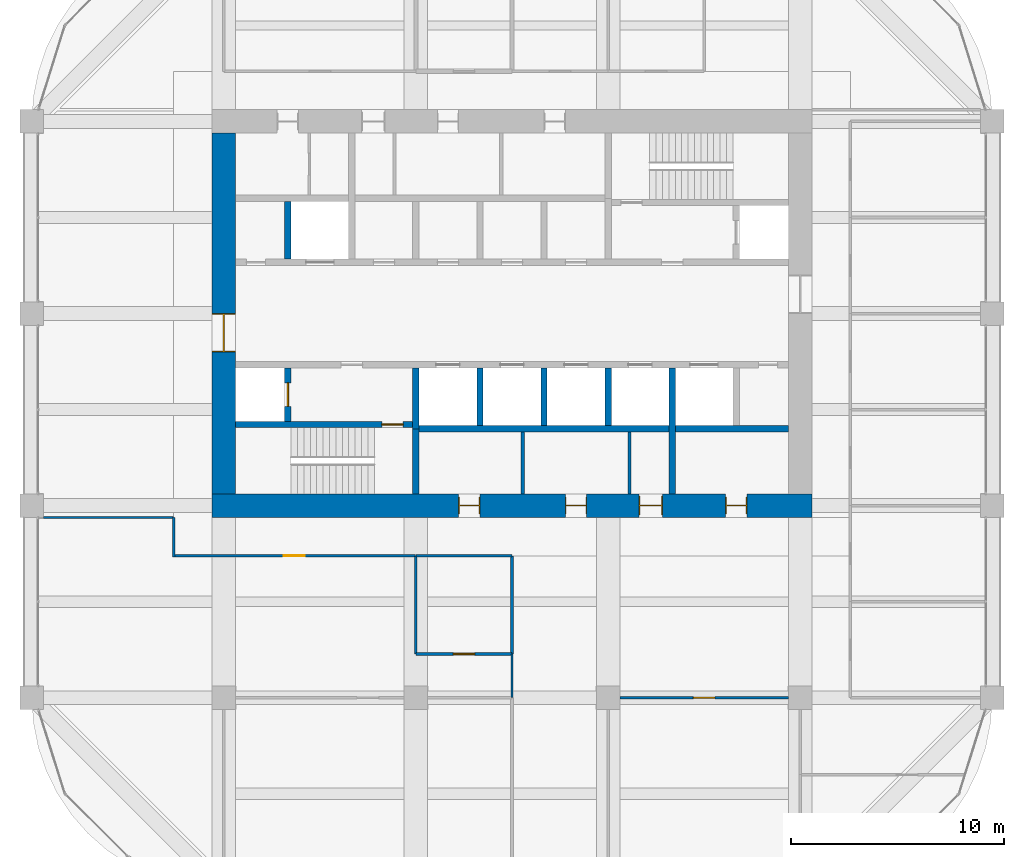
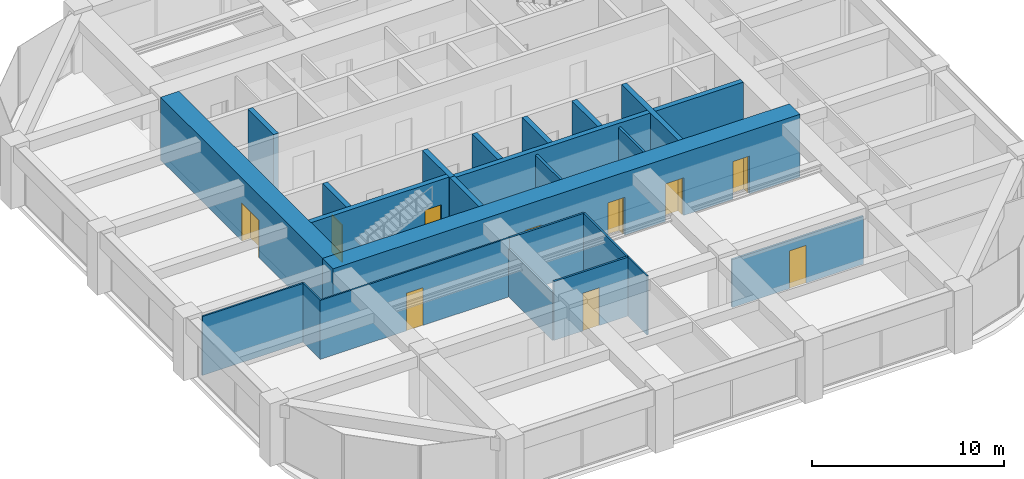
# One storey, part 41 of 45: 23 walls, 10 doors, 10 openings.
"""IFC4 building model written with IfcOpenShell, lengths in metres."""

from ifc_helpers import new_model, si_unit, direction, frame, frame_2d, origin, place, context, subcontext, project, spatial, rectangle, extrude, material, layer, layer_set, type_object, element, fill, save


model = new_model("IFC4")

# Units and contexts
model_context = context("Model", 3, precision=1e-05, world=origin(), true_north=direction((0.0, 1.0)))
body_context = subcontext(model_context, "Body", "Model", "MODEL_VIEW")
ifc_project = project(units=[si_unit("LENGTHUNIT", "METRE"), si_unit("AREAUNIT", "SQUARE_METRE"), si_unit("VOLUMEUNIT", "CUBIC_METRE"), si_unit("PLANEANGLEUNIT", "RADIAN"), si_unit("MASSUNIT", "GRAM", prefix="KILO")], contexts=[model_context])

# Site, building, storey
site_placement = place(None, origin())
site = spatial("IfcSite", under=ifc_project, at=site_placement, CompositionType="ELEMENT")
building_placement = place(site_placement, origin())
building = spatial("IfcBuilding", under=site, at=building_placement, Name="Zorevar Civic Tower", CompositionType="ELEMENT")
storey_placement = place(building_placement, frame((0.0, 0.0, 279.39990234375)))
storey = spatial("IfcBuildingStorey", under=building, at=storey_placement, Name="L68", CompositionType="ELEMENT", Elevation=279.39990234375)

# Wall, openings, doors
ifc_material_1 = material(Name="Concrete C50/60", Category="concrete")
ifc_layer_1 = layer(ifc_material_1, 1.10009765625)
ifc_layer_set_1 = layer_set([ifc_layer_1], Name="Core wall 1100")
wall_type_1 = type_object("IfcWallType", Name="Core wall 1100", PredefinedType="SHEAR", material=ifc_layer_set_1)
wall_1_placement = place(storey_placement, frame((17.449951171875, 18.0, 0.0), z_axis=(0.0, 0.0, 1.0), x_axis=(1.0, 0.0, 0.0)))
wall_1 = element("IfcWall", 1, at=wall_1_placement, inside=storey, type_object=wall_type_1, Name="Core wall S L68", PredefinedType="SHEAR", context=body_context, shape_type="SweptSolid", body=[
    extrude(rectangle(XDim=28.10009765625, YDim=1.10009765625, at=frame_2d((14.050048828125, 0.0))), origin(), (0.0, 0.0, 1.0), 4.0),
])
opening_1_placement = place(wall_1_placement, frame((11.550048828125, 0.0, 0.0)))
opening_1 = element("IfcOpeningElement", 2, at=opening_1_placement, cuts=wall_1, Name="Opening L68.03", PredefinedType="OPENING", context=body_context, shape_type="SweptSolid", body=[
    extrude(rectangle(XDim=1.0, YDim=2.39990234375, at=frame_2d((0.5, 1.199951171875))), frame((0.0, 0.56005859375, 0.0), z_axis=(0.0, -1.0, 0.0), x_axis=(1.0, 0.0, 0.0)), (0.0, 0.0, 1.0), 1.1201171875),
])
opening_2_placement = place(wall_1_placement, frame((16.550048828125, 0.0, 0.0)))
opening_2 = element("IfcOpeningElement", 3, at=opening_2_placement, cuts=wall_1, Name="Opening L68.04", PredefinedType="OPENING", context=body_context, shape_type="SweptSolid", body=[
    extrude(rectangle(XDim=1.0, YDim=2.39990234375, at=frame_2d((0.5, 1.199951171875))), frame((0.0, 0.56005859375, 0.0), z_axis=(0.0, -1.0, 0.0), x_axis=(1.0, 0.0, 0.0)), (0.0, 0.0, 1.0), 1.1201171875),
])
opening_3_placement = place(wall_1_placement, frame((20.0, 0.0, 0.0)))
opening_3 = element("IfcOpeningElement", 4, at=opening_3_placement, cuts=wall_1, Name="Opening L68.05", PredefinedType="OPENING", context=body_context, shape_type="SweptSolid", body=[
    extrude(rectangle(XDim=1.10009765625, YDim=2.39990234375, at=frame_2d((0.550048828125, 1.199951171875))), frame((0.0, 0.56005859375, 0.0), z_axis=(0.0, -1.0, 0.0), x_axis=(1.0, 0.0, 0.0)), (0.0, 0.0, 1.0), 1.1201171875),
])
opening_4_placement = place(wall_1_placement, frame((24.050048828125, 0.0, 0.0)))
opening_4 = element("IfcOpeningElement", 5, at=opening_4_placement, cuts=wall_1, Name="Opening L68.06", PredefinedType="OPENING", context=body_context, shape_type="SweptSolid", body=[
    extrude(rectangle(XDim=1.0, YDim=2.39990234375, at=frame_2d((0.5, 1.199951171875))), frame((0.0, 0.56005859375, 0.0), z_axis=(0.0, -1.0, 0.0), x_axis=(1.0, 0.0, 0.0)), (0.0, 0.0, 1.0), 1.1201171875),
])
ifc_material_2 = material(Name="Timber door set", Category="wood")
door_type_1 = type_object("IfcDoorType", Name="Door D1 1000x2400", OperationType="SINGLE_SWING_LEFT", PredefinedType="DOOR", material=ifc_material_2)
door_1_placement = place(opening_1_placement, origin())
door_1 = element("IfcDoor", 6, at=door_1_placement, inside=storey, type_object=door_type_1, Name="Door L68 02", OperationType="SINGLE_SWING_LEFT", OverallHeight=2.39990234375, OverallWidth=1.0, PredefinedType="DOOR", context=body_context, shape_type="SweptSolid", body=[
    extrude(rectangle(XDim=1.0, YDim=2.39990234375, at=frame_2d((0.5, 1.199951171875))), frame((0.0, 0.02490234375, 0.0), z_axis=(0.0, -1.0, 0.0), x_axis=(1.0, 0.0, 0.0)), (0.0, 0.0, 1.0), 0.050048828125),
    extrude(rectangle(XDim=0.04, YDim=2.39990234375, at=frame_2d((0.02001953125, 1.199951171875))), frame((0.0, 0.39990234375, 0.0), z_axis=(0.0, -1.0, 0.0), x_axis=(1.0, 0.0, 0.0)), (0.0, 0.0, 1.0), 0.800048828125),
    extrude(rectangle(XDim=0.04, YDim=2.39990234375, at=frame_2d((0.97998046875, 1.199951171875))), frame((0.0, 0.39990234375, 0.0), z_axis=(0.0, -1.0, 0.0), x_axis=(1.0, 0.0, 0.0)), (0.0, 0.0, 1.0), 0.800048828125),
    extrude(rectangle(XDim=1.0, YDim=0.04, at=frame_2d((0.5, 2.3798828125))), frame((0.0, 0.39990234375, 0.0), z_axis=(0.0, -1.0, 0.0), x_axis=(1.0, 0.0, 0.0)), (0.0, 0.0, 1.0), 0.800048828125),
])
fill(opening_1, door_1)
door_2_placement = place(opening_2_placement, origin())
door_2 = element("IfcDoor", 7, at=door_2_placement, inside=storey, type_object=door_type_1, Name="Door L68 03", OperationType="SINGLE_SWING_RIGHT", OverallHeight=2.39990234375, OverallWidth=1.0, PredefinedType="DOOR", context=body_context, shape_type="SweptSolid", body=[
    extrude(rectangle(XDim=1.0, YDim=2.39990234375, at=frame_2d((0.5, 1.199951171875))), frame((0.0, 0.02490234375, 0.0), z_axis=(0.0, -1.0, 0.0), x_axis=(1.0, 0.0, 0.0)), (0.0, 0.0, 1.0), 0.050048828125),
    extrude(rectangle(XDim=0.04, YDim=2.39990234375, at=frame_2d((0.02001953125, 1.199951171875))), frame((0.0, 0.39990234375, 0.0), z_axis=(0.0, -1.0, 0.0), x_axis=(1.0, 0.0, 0.0)), (0.0, 0.0, 1.0), 0.800048828125),
    extrude(rectangle(XDim=0.04, YDim=2.39990234375, at=frame_2d((0.97998046875, 1.199951171875))), frame((0.0, 0.39990234375, 0.0), z_axis=(0.0, -1.0, 0.0), x_axis=(1.0, 0.0, 0.0)), (0.0, 0.0, 1.0), 0.800048828125),
    extrude(rectangle(XDim=1.0, YDim=0.04, at=frame_2d((0.5, 2.3798828125))), frame((0.0, 0.39990234375, 0.0), z_axis=(0.0, -1.0, 0.0), x_axis=(1.0, 0.0, 0.0)), (0.0, 0.0, 1.0), 0.800048828125),
])
fill(opening_2, door_2)
door_3_placement = place(opening_4_placement, origin())
door_3 = element("IfcDoor", 8, at=door_3_placement, inside=storey, type_object=door_type_1, Name="Door L68 05", OperationType="SINGLE_SWING_RIGHT", OverallHeight=2.39990234375, OverallWidth=1.0, PredefinedType="DOOR", context=body_context, shape_type="SweptSolid", body=[
    extrude(rectangle(XDim=1.0, YDim=2.39990234375, at=frame_2d((0.5, 1.199951171875))), frame((0.0, 0.02490234375, 0.0), z_axis=(0.0, -1.0, 0.0), x_axis=(1.0, 0.0, 0.0)), (0.0, 0.0, 1.0), 0.050048828125),
    extrude(rectangle(XDim=0.04, YDim=2.39990234375, at=frame_2d((0.02001953125, 1.199951171875))), frame((0.0, 0.39990234375, 0.0), z_axis=(0.0, -1.0, 0.0), x_axis=(1.0, 0.0, 0.0)), (0.0, 0.0, 1.0), 0.800048828125),
    extrude(rectangle(XDim=0.04, YDim=2.39990234375, at=frame_2d((0.97998046875, 1.199951171875))), frame((0.0, 0.39990234375, 0.0), z_axis=(0.0, -1.0, 0.0), x_axis=(1.0, 0.0, 0.0)), (0.0, 0.0, 1.0), 0.800048828125),
    extrude(rectangle(XDim=1.0, YDim=0.04, at=frame_2d((0.5, 2.3798828125))), frame((0.0, 0.39990234375, 0.0), z_axis=(0.0, -1.0, 0.0), x_axis=(1.0, 0.0, 0.0)), (0.0, 0.0, 1.0), 0.800048828125),
])
fill(opening_4, door_3)
ifc_material_3 = material(Name="Timber door set", Category="wood")
door_type_2 = type_object("IfcDoorType", Name="Door D5 1100x2400", OperationType="SINGLE_SWING_LEFT", PredefinedType="DOOR", material=ifc_material_3)
door_4_placement = place(opening_3_placement, origin())
door_4 = element("IfcDoor", 9, at=door_4_placement, inside=storey, type_object=door_type_2, Name="Door L68 04", OperationType="SINGLE_SWING_RIGHT", OverallHeight=2.39990234375, OverallWidth=1.10009765625, PredefinedType="DOOR", context=body_context, shape_type="SweptSolid", body=[
    extrude(rectangle(XDim=1.10009765625, YDim=2.39990234375, at=frame_2d((0.550048828125, 1.199951171875))), frame((0.0, 0.02490234375, 0.0), z_axis=(0.0, -1.0, 0.0), x_axis=(1.0, 0.0, 0.0)), (0.0, 0.0, 1.0), 0.050048828125),
    extrude(rectangle(XDim=0.04, YDim=2.39990234375, at=frame_2d((0.02001953125, 1.199951171875))), frame((0.0, 0.43994140625, 0.0), z_axis=(0.0, -1.0, 0.0), x_axis=(1.0, 0.0, 0.0)), (0.0, 0.0, 1.0), 0.880126953125),
    extrude(rectangle(XDim=0.04, YDim=2.39990234375, at=frame_2d((1.080078125, 1.199951171875))), frame((0.0, 0.43994140625, 0.0), z_axis=(0.0, -1.0, 0.0), x_axis=(1.0, 0.0, 0.0)), (0.0, 0.0, 1.0), 0.880126953125),
    extrude(rectangle(XDim=1.10009765625, YDim=0.04, at=frame_2d((0.550048828125, 2.3798828125))), frame((0.0, 0.43994140625, 0.0), z_axis=(0.0, -1.0, 0.0), x_axis=(1.0, 0.0, 0.0)), (0.0, 0.0, 1.0), 0.880126953125),
])
fill(opening_3, door_4)

# Wall, opening, door
wall_2_placement = place(storey_placement, frame((18.0, 35.449951171875, 0.0), z_axis=(0.0, 0.0, 1.0), x_axis=(0.0, -1.0, 0.0)))
wall_2 = element("IfcWall", 10, at=wall_2_placement, inside=storey, type_object=wall_type_1, Name="Core wall W L68", PredefinedType="SHEAR", context=body_context, shape_type="SweptSolid", body=[
    extrude(rectangle(XDim=16.89990234375, YDim=1.10009765625, at=frame_2d((8.449951171875, 0.0))), origin(), (0.0, 0.0, 1.0), 4.0),
])
opening_5_placement = place(wall_2_placement, frame((8.449951171875, 0.0, 0.0)))
opening_5 = element("IfcOpeningElement", 11, at=opening_5_placement, cuts=wall_2, Name="Opening L68.01", PredefinedType="OPENING", context=body_context, shape_type="SweptSolid", body=[
    extrude(rectangle(XDim=1.800048828125, YDim=2.39990234375, at=frame_2d((0.89990234375, 1.199951171875))), frame((0.0, 0.56005859375, 0.0), z_axis=(0.0, -1.0, 0.0), x_axis=(1.0, 0.0, 0.0)), (0.0, 0.0, 1.0), 1.1201171875),
])
ifc_material_4 = material(Name="Steel door set", Category="steel")
door_type_3 = type_object("IfcDoorType", Name="Fire door FD2 1800x2400", OperationType="DOUBLE_DOOR_DOUBLE_SWING", PredefinedType="DOOR", material=ifc_material_4)
door_5_placement = place(opening_5_placement, origin())
door_5 = element("IfcDoor", 12, at=door_5_placement, inside=storey, type_object=door_type_3, Name="Door L68 00", OperationType="DOUBLE_DOOR_DOUBLE_SWING", OverallHeight=2.39990234375, OverallWidth=1.800048828125, PredefinedType="DOOR", context=body_context, shape_type="SweptSolid", body=[
    extrude(rectangle(XDim=1.800048828125, YDim=2.39990234375, at=frame_2d((0.89990234375, 1.199951171875))), frame((0.0, 0.030029296875, 0.0), z_axis=(0.0, -1.0, 0.0), x_axis=(1.0, 0.0, 0.0)), (0.0, 0.0, 1.0), 0.06005859375),
    extrude(rectangle(XDim=0.04, YDim=2.39990234375, at=frame_2d((0.02001953125, 1.199951171875))), frame((0.0, 0.5498046875, 0.0), z_axis=(0.0, -1.0, 0.0), x_axis=(1.0, 0.0, 0.0)), (0.0, 0.0, 1.0), 1.099609375),
    extrude(rectangle(XDim=0.04, YDim=2.39990234375, at=frame_2d((1.780029296875, 1.199951171875))), frame((0.0, 0.5498046875, 0.0), z_axis=(0.0, -1.0, 0.0), x_axis=(1.0, 0.0, 0.0)), (0.0, 0.0, 1.0), 1.099609375),
    extrude(rectangle(XDim=1.800048828125, YDim=0.04, at=frame_2d((0.89990234375, 2.3798828125))), frame((0.0, 0.5498046875, 0.0), z_axis=(0.0, -1.0, 0.0), x_axis=(1.0, 0.0, 0.0)), (0.0, 0.0, 1.0), 1.099609375),
])
fill(opening_5, door_5)

ifc_material_5 = material(Name="Laminated glass in black aluminium frame", Category="aluminium")
ifc_layer_2 = layer(ifc_material_5, 0.10009765625)
ifc_layer_set_2 = layer_set([ifc_layer_2], Name="Glazed partition 100")
wall_type_2 = type_object("IfcWallType", Name="Glazed partition 100", PredefinedType="PARTITIONING", material=ifc_layer_set_2)
wall_3_placement = place(storey_placement, frame((15.60009765625, 15.64990234375, 0.0), z_axis=(0.0, 0.0, 1.0), x_axis=(1.0, 0.0, 0.0)))
wall_3 = element("IfcWall", 13, at=wall_3_placement, inside=storey, type_object=wall_type_2, Name="Glazed partition 100 L68", PredefinedType="PARTITIONING", context=body_context, shape_type="SweptSolid", body=[
    extrude(rectangle(XDim=11.389892578125, YDim=0.10009765625, at=frame_2d((5.69482421875, 0.0))), origin(), (0.0, 0.0, 1.0), 3.75),
])
opening_6_placement = place(wall_3_placement, frame((5.195068359375, 0.0, 0.0)))
opening_6 = element("IfcOpeningElement", 14, at=opening_6_placement, cuts=wall_3, Name="Opening L68.21", PredefinedType="OPENING", context=body_context, shape_type="SweptSolid", body=[
    extrude(rectangle(XDim=1.0, YDim=2.39990234375, at=frame_2d((0.5, 1.199951171875))), frame((0.0, 0.06005859375, 0.0), z_axis=(0.0, -1.0, 0.0), x_axis=(1.0, 0.0, 0.0)), (0.0, 0.0, 1.0), 0.1201171875),
])
ifc_material_6 = material(Name="Timber door set", Category="wood")
door_type_4 = type_object("IfcDoorType", Name="Glazed door GD1 1000x2400", OperationType="SINGLE_SWING_LEFT", PredefinedType="DOOR", material=ifc_material_6)
door_6_placement = place(opening_6_placement, origin())
door_6 = element("IfcDoor", 15, at=door_6_placement, inside=storey, type_object=door_type_4, Name="Door L68 D1", OperationType="SINGLE_SWING_RIGHT", OverallHeight=2.39990234375, OverallWidth=1.0, PredefinedType="DOOR", context=body_context, shape_type="SweptSolid", body=[
    extrude(rectangle(XDim=1.0, YDim=2.39990234375, at=frame_2d((0.5, 1.199951171875))), frame((0.0, 0.02001953125, 0.0), z_axis=(0.0, -1.0, 0.0), x_axis=(1.0, 0.0, 0.0)), (0.0, 0.0, 1.0), 0.0400390625),
])
fill(opening_6, door_6)

# Walls
wall_4_placement = place(storey_placement, frame((9.550048828125, 17.449951171875, 0.0), z_axis=(0.0, 0.0, 1.0), x_axis=(1.0, 0.0, 0.0)))
element("IfcWall", 16, at=wall_4_placement, inside=storey, type_object=wall_type_2, Name="Glazed partition 100 L68", PredefinedType="PARTITIONING", context=body_context, shape_type="SweptSolid", body=[
    extrude(rectangle(XDim=6.099853515625, YDim=0.10009765625, at=frame_2d((3.0498046875, 0.0))), origin(), (0.0, 0.0, 1.0), 3.75),
])
wall_5_placement = place(storey_placement, frame((15.64990234375, 15.60009765625, 0.0), z_axis=(0.0, 0.0, 1.0), x_axis=(0.0, 1.0, 0.0)))
element("IfcWall", 17, at=wall_5_placement, inside=storey, type_object=wall_type_2, Name="Glazed partition 100 L68", PredefinedType="PARTITIONING", context=body_context, shape_type="SweptSolid", body=[
    extrude(rectangle(XDim=1.849853515625, YDim=0.10009765625, at=frame_2d((0.9248046875, 0.0))), origin(), (0.0, 0.0, 1.0), 3.75),
])
wall_6_placement = place(storey_placement, frame((31.5, 9.0, 0.0), z_axis=(0.0, 0.0, 1.0), x_axis=(0.0, 1.0, 0.0)))
element("IfcWall", 18, at=wall_6_placement, inside=storey, type_object=wall_type_2, Name="Glazed partition 100 L68", PredefinedType="PARTITIONING", context=body_context, shape_type="SweptSolid", body=[
    extrude(rectangle(XDim=2.050048828125, YDim=0.10009765625, at=frame_2d((1.02490234375, 0.0))), origin(), (0.0, 0.0, 1.0), 3.75),
])

# Wall, opening, door
ifc_material_7 = material(Name="Concrete C40/50", Category="concrete")
ifc_layer_3 = layer(ifc_material_7, 0.300048828125)
ifc_layer_set_3 = layer_set([ifc_layer_3], Name="Inner core wall 300")
wall_type_3 = type_object("IfcWallType", Name="Inner core wall 300", PredefinedType="SHEAR", material=ifc_layer_set_3)
wall_7_placement = place(storey_placement, frame((18.550048828125, 21.800048828125, 0.0), z_axis=(0.0, 0.0, 1.0), x_axis=(1.0, 0.0, 0.0)))
wall_7 = element("IfcWall", 19, at=wall_7_placement, inside=storey, type_object=wall_type_3, Name="Inner core wall S00 L68", PredefinedType="SHEAR", context=body_context, shape_type="SweptSolid", body=[
    extrude(rectangle(XDim=8.300048828125, YDim=0.300048828125, at=frame_2d((4.14990234375, 0.0))), origin(), (0.0, 0.0, 1.0), 4.0),
])
opening_7_placement = place(wall_7_placement, frame((6.85009765625, 0.0, 0.0)))
opening_7 = element("IfcOpeningElement", 20, at=opening_7_placement, cuts=wall_7, Name="Opening L68.11", PredefinedType="OPENING", context=body_context, shape_type="SweptSolid", body=[
    extrude(rectangle(XDim=1.0, YDim=2.39990234375, at=frame_2d((0.5, 1.199951171875))), frame((0.0, 0.159912109375, 0.0), z_axis=(0.0, -1.0, 0.0), x_axis=(1.0, 0.0, 0.0)), (0.0, 0.0, 1.0), 0.320068359375),
])
ifc_material_8 = material(Name="Steel door set", Category="steel")
door_type_5 = type_object("IfcDoorType", Name="Fire door FD1 1000x2400", OperationType="SINGLE_SWING_LEFT", PredefinedType="DOOR", material=ifc_material_8)
door_7_placement = place(opening_7_placement, origin())
door_7 = element("IfcDoor", 21, at=door_7_placement, inside=storey, type_object=door_type_5, Name="Door L68 10", OperationType="SINGLE_SWING_RIGHT", OverallHeight=2.39990234375, OverallWidth=1.0, PredefinedType="DOOR", context=body_context, shape_type="SweptSolid", body=[
    extrude(rectangle(XDim=1.0, YDim=2.39990234375, at=frame_2d((0.5, 1.199951171875))), frame((0.0, 0.030029296875, 0.0), z_axis=(0.0, -1.0, 0.0), x_axis=(1.0, 0.0, 0.0)), (0.0, 0.0, 1.0), 0.06005859375),
])
fill(opening_7, door_7)

# Wall
wall_8_placement = place(storey_placement, frame((27.0, 18.550048828125, 0.0), z_axis=(0.0, 0.0, 1.0), x_axis=(0.0, 1.0, 0.0)))
element("IfcWall", 22, at=wall_8_placement, inside=storey, type_object=wall_type_3, Name="Inner core wall S01 L68", PredefinedType="SHEAR", context=body_context, shape_type="SweptSolid", body=[
    extrude(rectangle(XDim=3.050048828125, YDim=0.300048828125, at=frame_2d((1.52490234375, 0.0))), origin(), (0.0, 0.0, 1.0), 4.0),
])

# Wall, opening, door
wall_9_placement = place(storey_placement, frame((21.0, 21.949951171875, 0.0), z_axis=(0.0, 0.0, 1.0), x_axis=(0.0, 1.0, 0.0)))
wall_9 = element("IfcWall", 23, at=wall_9_placement, inside=storey, type_object=wall_type_3, Name="Inner core wall S02 L68", PredefinedType="SHEAR", context=body_context, shape_type="SweptSolid", body=[
    extrude(rectangle(XDim=2.5, YDim=0.300048828125, at=frame_2d((1.25, 0.0))), origin(), (0.0, 0.0, 1.0), 4.0),
])
opening_8_placement = place(wall_9_placement, frame((0.699951171875, 0.0, 0.0)))
opening_8 = element("IfcOpeningElement", 24, at=opening_8_placement, cuts=wall_9, Name="Opening L68.FL1", PredefinedType="OPENING", context=body_context, shape_type="SweptSolid", body=[
    extrude(rectangle(XDim=1.10009765625, YDim=2.39990234375, at=frame_2d((0.550048828125, 1.199951171875))), frame((0.0, 0.159912109375, 0.0), z_axis=(0.0, -1.0, 0.0), x_axis=(1.0, 0.0, 0.0)), (0.0, 0.0, 1.0), 0.320068359375),
])
ifc_material_9 = material(Name="Steel door set", Category="steel")
door_type_6 = type_object("IfcDoorType", Name="Firefighting lift landing door LD3 1100x2400", OperationType="DOUBLE_DOOR_SLIDING", PredefinedType="DOOR", material=ifc_material_9)
door_8_placement = place(opening_8_placement, origin())
door_8 = element("IfcDoor", 25, at=door_8_placement, inside=storey, type_object=door_type_6, Name="Landing door FL1 L68", OperationType="DOUBLE_DOOR_SLIDING", OverallHeight=2.39990234375, OverallWidth=1.10009765625, PredefinedType="DOOR", context=body_context, shape_type="SweptSolid", body=[
    extrude(rectangle(XDim=1.10009765625, YDim=2.39990234375, at=frame_2d((0.550048828125, 1.199951171875))), frame((0.0, 0.030029296875, 0.0), z_axis=(0.0, -1.0, 0.0), x_axis=(1.0, 0.0, 0.0)), (0.0, 0.0, 1.0), 0.06005859375),
])
fill(opening_8, door_8)

# Walls
wall_10_placement = place(storey_placement, frame((27.14990234375, 21.60009765625, 0.0), z_axis=(0.0, 0.0, 1.0), x_axis=(1.0, 0.0, 0.0)))
element("IfcWall", 26, at=wall_10_placement, inside=storey, type_object=wall_type_3, Name="Inner core wall S04 L68", PredefinedType="SHEAR", context=body_context, shape_type="SweptSolid", body=[
    extrude(rectangle(XDim=17.300048828125, YDim=0.300048828125, at=frame_2d((8.64990234375, 0.0))), origin(), (0.0, 0.0, 1.0), 4.0),
])
for number, where, z_axis, x_axis, name in (
    (27, (30.0, 21.75, 0.0), (0.0, 0.0, 1.0), (0.0, 1.0, 0.0), "Inner core wall S05 L68"),
    (28, (33.0, 21.75, 0.0), (0.0, 0.0, 1.0), (0.0, 1.0, 0.0), "Inner core wall S06 L68"),
    (29, (36.0, 21.75, 0.0), (0.0, 0.0, 1.0), (0.0, 1.0, 0.0), "Inner core wall S07 L68"),
):
    element("IfcWall", number, at=place(storey_placement, frame(where, z_axis=z_axis, x_axis=x_axis)), inside=storey, type_object=wall_type_3, Name=name, PredefinedType="SHEAR", context=body_context, shape_type="SweptSolid", body=[
        extrude(rectangle(XDim=2.699951171875, YDim=0.300048828125, at=frame_2d((1.35009765625, 0.0))), origin(), (0.0, 0.0, 1.0), 4.0),
    ])
wall_11_placement = place(storey_placement, frame((39.0, 18.550048828125, 0.0), z_axis=(0.0, 0.0, 1.0), x_axis=(0.0, 1.0, 0.0)))
element("IfcWall", 30, at=wall_11_placement, inside=storey, type_object=wall_type_3, Name="Inner core wall S08 L68", PredefinedType="SHEAR", context=body_context, shape_type="SweptSolid", body=[
    extrude(rectangle(XDim=5.89990234375, YDim=0.300048828125, at=frame_2d((2.949951171875, 0.0))), origin(), (0.0, 0.0, 1.0), 4.0),
])
wall_12_placement = place(storey_placement, frame((21.0, 29.550048828125, 0.0), z_axis=(0.0, 0.0, 1.0), x_axis=(0.0, 1.0, 0.0)))
element("IfcWall", 31, at=wall_12_placement, inside=storey, type_object=wall_type_3, Name="Inner core wall N09 L68", PredefinedType="SHEAR", context=body_context, shape_type="SweptSolid", body=[
    extrude(rectangle(XDim=2.699951171875, YDim=0.300048828125, at=frame_2d((1.35009765625, 0.0))), origin(), (0.0, 0.0, 1.0), 4.0),
])
wall_13_placement = place(storey_placement, frame((27.0, 21.60009765625, 0.0), z_axis=(0.0, 0.0, 1.0), x_axis=(0.0, 1.0, 0.0)))
element("IfcWall", 32, at=wall_13_placement, inside=storey, type_object=wall_type_3, Name="Inner core wall S10 L68", PredefinedType="SHEAR", context=body_context, shape_type="SweptSolid", body=[
    extrude(rectangle(XDim=2.849853515625, YDim=0.300048828125, at=frame_2d((1.4248046875, 0.0))), origin(), (0.0, 0.0, 1.0), 4.0),
])

# Wall, opening, door
ifc_material_10 = material(Name="Gypsum board on steel studs", Category="steel")
ifc_layer_4 = layer(ifc_material_10, 0.1201171875)
ifc_layer_set_4 = layer_set([ifc_layer_4], Name="Partition 120")
wall_type_4 = type_object("IfcWallType", Name="Partition 120", PredefinedType="PARTITIONING", material=ifc_layer_set_4)
wall_14_placement = place(storey_placement, frame((36.550048828125, 9.0, 0.0), z_axis=(0.0, 0.0, 1.0), x_axis=(1.0, 0.0, 0.0)))
wall_14 = element("IfcWall", 33, at=wall_14_placement, inside=storey, type_object=wall_type_4, Name="Partition 120 L68", PredefinedType="PARTITIONING", context=body_context, shape_type="SweptSolid", body=[
    extrude(rectangle(XDim=7.89990234375, YDim=0.1201171875, at=frame_2d((3.949951171875, 0.0))), origin(), (0.0, 0.0, 1.0), 3.050048828125),
])
opening_9_placement = place(wall_14_placement, frame((3.449951171875, 0.0, 0.0)))
opening_9 = element("IfcOpeningElement", 34, at=opening_9_placement, cuts=wall_14, Name="Opening L68.19", PredefinedType="OPENING", context=body_context, shape_type="SweptSolid", body=[
    extrude(rectangle(XDim=1.0, YDim=2.39990234375, at=frame_2d((0.5, 1.199951171875))), frame((0.0, 0.070068359375, 0.0), z_axis=(0.0, -1.0, 0.0), x_axis=(1.0, 0.0, 0.0)), (0.0, 0.0, 1.0), 0.14013671875),
])
door_9_placement = place(opening_9_placement, origin())
door_9 = element("IfcDoor", 35, at=door_9_placement, inside=storey, type_object=door_type_1, Name="Door L68 D1", OperationType="SINGLE_SWING_LEFT", OverallHeight=2.39990234375, OverallWidth=1.0, PredefinedType="DOOR", context=body_context, shape_type="SweptSolid", body=[
    extrude(rectangle(XDim=1.0, YDim=2.39990234375, at=frame_2d((0.5, 1.199951171875))), frame((0.0, 0.02490234375, 0.0), z_axis=(0.0, -1.0, 0.0), x_axis=(1.0, 0.0, 0.0)), (0.0, 0.0, 1.0), 0.050048828125),
])
fill(opening_9, door_9)

wall_15_placement = place(storey_placement, frame((27.0, 11.050048828125, 0.0), z_axis=(0.0, 0.0, 1.0), x_axis=(1.0, 0.0, 0.0)))
wall_15 = element("IfcWall", 36, at=wall_15_placement, inside=storey, type_object=wall_type_4, Name="Partition 120 L68", PredefinedType="PARTITIONING", context=body_context, shape_type="SweptSolid", body=[
    extrude(rectangle(XDim=4.5, YDim=0.1201171875, at=frame_2d((2.25, 0.0))), origin(), (0.0, 0.0, 1.0), 3.75),
])
opening_10_placement = place(wall_15_placement, frame((1.75, 0.0, 0.0)))
opening_10 = element("IfcOpeningElement", 37, at=opening_10_placement, cuts=wall_15, Name="Opening L68.20", PredefinedType="OPENING", context=body_context, shape_type="SweptSolid", body=[
    extrude(rectangle(XDim=1.0, YDim=2.39990234375, at=frame_2d((0.5, 1.199951171875))), frame((0.0, 0.070068359375, 0.0), z_axis=(0.0, -1.0, 0.0), x_axis=(1.0, 0.0, 0.0)), (0.0, 0.0, 1.0), 0.14013671875),
])
door_10_placement = place(opening_10_placement, origin())
door_10 = element("IfcDoor", 38, at=door_10_placement, inside=storey, type_object=door_type_1, Name="Door L68 D1", OperationType="SINGLE_SWING_RIGHT", OverallHeight=2.39990234375, OverallWidth=1.0, PredefinedType="DOOR", context=body_context, shape_type="SweptSolid", body=[
    extrude(rectangle(XDim=1.0, YDim=2.39990234375, at=frame_2d((0.5, 1.199951171875))), frame((0.0, 0.02490234375, 0.0), z_axis=(0.0, -1.0, 0.0), x_axis=(1.0, 0.0, 0.0)), (0.0, 0.0, 1.0), 0.050048828125),
])
fill(opening_10, door_10)

# Walls
wall_16_placement = place(storey_placement, frame((27.0, 15.64990234375, 0.0), z_axis=(0.0, 0.0, 1.0), x_axis=(1.0, 0.0, 0.0)))
element("IfcWall", 39, at=wall_16_placement, inside=storey, type_object=wall_type_4, Name="Partition 120 L68", PredefinedType="PARTITIONING", context=body_context, shape_type="SweptSolid", body=[
    extrude(rectangle(XDim=4.5, YDim=0.1201171875, at=frame_2d((2.25, 0.0))), origin(), (0.0, 0.0, 1.0), 3.75),
])
wall_17_placement = place(storey_placement, frame((27.0, 11.050048828125, 0.0), z_axis=(0.0, 0.0, 1.0), x_axis=(0.0, 1.0, 0.0)))
element("IfcWall", 40, at=wall_17_placement, inside=storey, type_object=wall_type_4, Name="Partition 120 L68", PredefinedType="PARTITIONING", context=body_context, shape_type="SweptSolid", body=[
    extrude(rectangle(XDim=4.599853515625, YDim=0.1201171875, at=frame_2d((2.2998046875, 0.0))), origin(), (0.0, 0.0, 1.0), 3.050048828125),
])
wall_18_placement = place(storey_placement, frame((31.5, 11.050048828125, 0.0), z_axis=(0.0, 0.0, 1.0), x_axis=(0.0, 1.0, 0.0)))
element("IfcWall", 41, at=wall_18_placement, inside=storey, type_object=wall_type_4, Name="Partition 120 L68", PredefinedType="PARTITIONING", context=body_context, shape_type="SweptSolid", body=[
    extrude(rectangle(XDim=4.599853515625, YDim=0.1201171875, at=frame_2d((2.2998046875, 0.0))), origin(), (0.0, 0.0, 1.0), 3.75),
])
ifc_material_11 = material(Name="Gypsum board on steel studs, moisture resistant", Category="steel")
ifc_layer_5 = layer(ifc_material_11, 0.14990234375)
ifc_layer_set_5 = layer_set([ifc_layer_5], Name="WC partition 150")
wall_type_5 = type_object("IfcWallType", Name="WC partition 150", PredefinedType="PARTITIONING", material=ifc_layer_set_5)
for number, where, z_axis, x_axis, name in (
    (42, (32.0, 18.550048828125, 0.0), (0.0, 0.0, 1.0), (0.0, 1.0, 0.0), "WC partition L68"),
    (43, (37.0, 18.550048828125, 0.0), (0.0, 0.0, 1.0), (0.0, 1.0, 0.0), "WC partition L68"),
):
    element("IfcWall", number, at=place(storey_placement, frame(where, z_axis=z_axis, x_axis=x_axis)), inside=storey, type_object=wall_type_5, Name=name, PredefinedType="PARTITIONING", context=body_context, shape_type="SweptSolid", body=[
        extrude(rectangle(XDim=2.89990234375, YDim=0.14990234375, at=frame_2d((1.449951171875, 0.0))), origin(), (0.0, 0.0, 1.0), 3.75),
    ])

save(model, "model.ifc")
